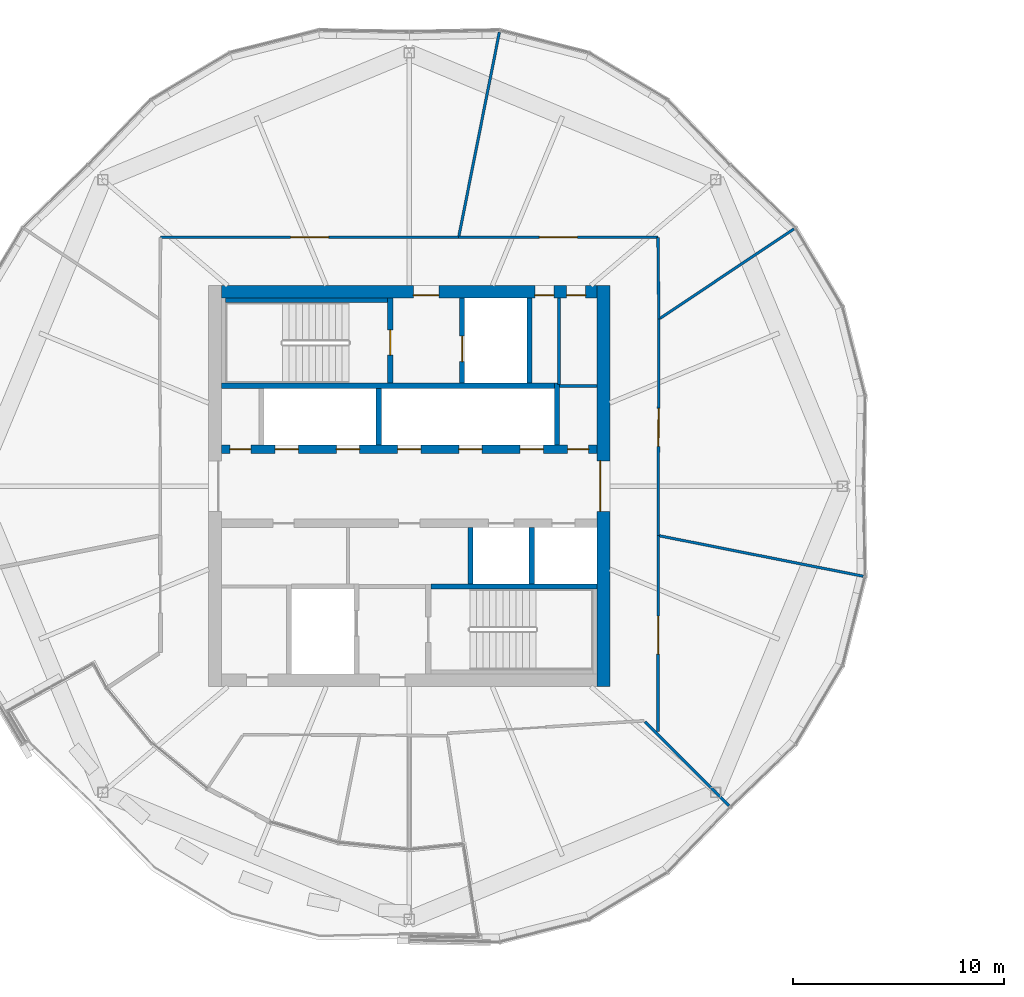
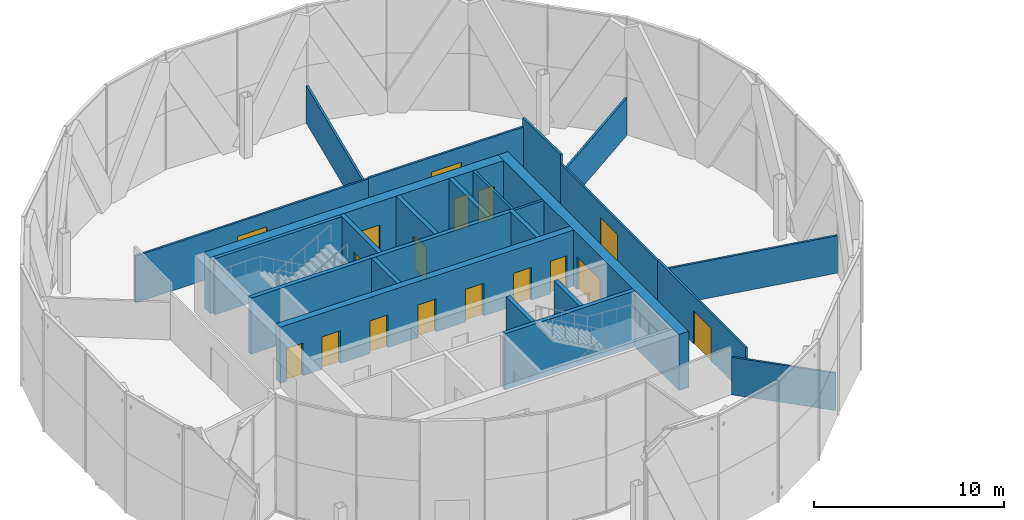
# One storey, part 20 of 27: 24 walls, 17 doors, 17 openings.
"""IFC4 building model written with IfcOpenShell, lengths in metres."""

from ifc_helpers import new_model, si_unit, direction, frame, frame_2d, origin, place, context, subcontext, project, spatial, rectangle, extrude, material, layer, layer_set, type_object, element, fill, save


model = new_model("IFC4")

# Units and contexts
model_context = context("Model", 3, precision=1e-05, world=origin(), true_north=direction((0.0, 1.0)))
body_context = subcontext(model_context, "Body", "Model", "MODEL_VIEW")
ifc_project = project(units=[si_unit("LENGTHUNIT", "METRE"), si_unit("AREAUNIT", "SQUARE_METRE"), si_unit("VOLUMEUNIT", "CUBIC_METRE"), si_unit("PLANEANGLEUNIT", "RADIAN"), si_unit("MASSUNIT", "GRAM", prefix="KILO")], contexts=[model_context])

# Site, building, storey
site_placement = place(None, origin())
site = spatial("IfcSite", under=ifc_project, at=site_placement, CompositionType="ELEMENT")
building_placement = place(site_placement, origin())
building = spatial("IfcBuilding", under=site, at=building_placement, Name="Ogive Gate Towers", CompositionType="ELEMENT")
storey_placement = place(building_placement, frame((0.0, 0.0, 189.0)))
storey = spatial("IfcBuildingStorey", under=building, at=storey_placement, Name="L45", CompositionType="ELEMENT", Elevation=189.0)

# Wall, openings, doors
ifc_material_1 = material(Name="Concrete C60/75", Category="concrete")
ifc_layer_1 = layer(ifc_material_1, 0.60009765625)
ifc_layer_set_1 = layer_set([ifc_layer_1], Name="Core wall 600 mm")
wall_type_1 = type_object("IfcWallType", Name="Core wall 600 mm", PredefinedType="SHEAR", material=ifc_layer_set_1)
wall_1_placement = place(storey_placement, frame((-44.89990234375, 9.199951171875, 0.0), z_axis=(0.0, 0.0, 1.0), x_axis=(1.0, 0.0, 0.0)))
wall_1 = element("IfcWall", 1, at=wall_1_placement, inside=storey, type_object=wall_type_1, Name="T1 L45 Core wall 600 mm", PredefinedType="SHEAR", context=body_context, shape_type="SweptSolid", body=[
    extrude(rectangle(XDim=17.7998046875, YDim=0.60009765625, at=frame_2d((8.89990234375, 0.0))), origin(), (0.0, 0.0, 1.0), 3.60009765625),
])
opening_1_placement = place(wall_1_placement, frame((9.10009765625, 0.0, 0.0)))
opening_1 = element("IfcOpeningElement", 2, at=opening_1_placement, cuts=wall_1, Name="Opening KD-T1-L45-18", PredefinedType="OPENING", context=body_context, shape_type="SweptSolid", body=[
    extrude(rectangle(XDim=1.199951171875, YDim=2.10009765625, at=frame_2d((0.60009765625, 1.050048828125))), frame((0.0, 0.31005859375, 0.0), z_axis=(0.0, -1.0, 0.0), x_axis=(1.0, 0.0, 0.0)), (0.0, 0.0, 1.0), 0.6201171875),
])
opening_2_placement = place(wall_1_placement, frame((14.85009765625, 0.0, 0.0)))
opening_2 = element("IfcOpeningElement", 3, at=opening_2_placement, cuts=wall_1, Name="Opening KD-T1-L45-20", PredefinedType="OPENING", context=body_context, shape_type="SweptSolid", body=[
    extrude(rectangle(XDim=0.89990234375, YDim=2.10009765625, at=frame_2d((0.449951171875, 1.050048828125))), frame((0.0, 0.31005859375, 0.0), z_axis=(0.0, -1.0, 0.0), x_axis=(1.0, 0.0, 0.0)), (0.0, 0.0, 1.0), 0.6201171875),
])
opening_3_placement = place(wall_1_placement, frame((16.35009765625, 0.0, 0.0)))
opening_3 = element("IfcOpeningElement", 4, at=opening_3_placement, cuts=wall_1, Name="Opening KD-T1-L45-21", PredefinedType="OPENING", context=body_context, shape_type="SweptSolid", body=[
    extrude(rectangle(XDim=0.89990234375, YDim=2.10009765625, at=frame_2d((0.449951171875, 1.050048828125))), frame((0.0, 0.31005859375, 0.0), z_axis=(0.0, -1.0, 0.0), x_axis=(1.0, 0.0, 0.0)), (0.0, 0.0, 1.0), 0.6201171875),
])
ifc_material_2 = material(Name="Timber door", Category="wood")
door_type_1 = type_object("IfcDoorType", Name="Core WC door 900 x 2100", OperationType="NOTDEFINED", PredefinedType="DOOR", material=ifc_material_2)
door_1_placement = place(opening_2_placement, origin())
door_1 = element("IfcDoor", 5, at=door_1_placement, inside=storey, type_object=door_type_1, Name="T1 L45 Core door", OperationType="SINGLE_SWING_LEFT", OverallHeight=2.10009765625, OverallWidth=0.89990234375, PredefinedType="DOOR", context=body_context, shape_type="SweptSolid", body=[
    extrude(rectangle(XDim=0.89990234375, YDim=2.10009765625, at=frame_2d((0.449951171875, 1.050048828125))), frame((0.0, -0.125, 0.0), z_axis=(0.0, -1.0, 0.0), x_axis=(1.0, 0.0, 0.0)), (0.0, 0.0, 1.0), 0.050048828125),
])
fill(opening_2, door_1)
door_2_placement = place(opening_3_placement, origin())
door_2 = element("IfcDoor", 6, at=door_2_placement, inside=storey, type_object=door_type_1, Name="T1 L45 Core door", OperationType="SINGLE_SWING_RIGHT", OverallHeight=2.10009765625, OverallWidth=0.89990234375, PredefinedType="DOOR", context=body_context, shape_type="SweptSolid", body=[
    extrude(rectangle(XDim=0.89990234375, YDim=2.10009765625, at=frame_2d((0.449951171875, 1.050048828125))), frame((0.0, -0.125, 0.0), z_axis=(0.0, -1.0, 0.0), x_axis=(1.0, 0.0, 0.0)), (0.0, 0.0, 1.0), 0.050048828125),
])
fill(opening_3, door_2)
ifc_material_3 = material(Name="Steel fire door", Category="steel")
door_type_2 = type_object("IfcDoorType", Name="Core door FD60S 1200 x 2100", OperationType="NOTDEFINED", PredefinedType="DOOR", material=ifc_material_3)
door_3_placement = place(opening_1_placement, origin())
door_3 = element("IfcDoor", 7, at=door_3_placement, inside=storey, type_object=door_type_2, Name="T1 L45 Fire-fighting lobby door", OperationType="SINGLE_SWING_LEFT", OverallHeight=2.10009765625, OverallWidth=1.199951171875, PredefinedType="DOOR", context=body_context, shape_type="SweptSolid", body=[
    extrude(rectangle(XDim=1.199951171875, YDim=2.10009765625, at=frame_2d((0.60009765625, 1.050048828125))), frame((0.0, -0.125, 0.0), z_axis=(0.0, -1.0, 0.0), x_axis=(1.0, 0.0, 0.0)), (0.0, 0.0, 1.0), 0.050048828125),
])
fill(opening_1, door_3)

# Wall, opening, door
wall_2_placement = place(storey_placement, frame((-26.800048828125, -9.5, 0.0), z_axis=(0.0, 0.0, 1.0), x_axis=(0.0, 1.0, 0.0)))
wall_2 = element("IfcWall", 8, at=wall_2_placement, inside=storey, type_object=wall_type_1, Name="T1 L45 Core wall 600 mm", PredefinedType="SHEAR", context=body_context, shape_type="SweptSolid", body=[
    extrude(rectangle(XDim=19.0, YDim=0.60009765625, at=frame_2d((9.5, 0.0))), origin(), (0.0, 0.0, 1.0), 3.60009765625),
])
opening_4_placement = place(wall_2_placement, frame((8.300048828125, 0.0, 0.0)))
opening_4 = element("IfcOpeningElement", 9, at=opening_4_placement, cuts=wall_2, Name="Opening KD-T1-L45-02", PredefinedType="OPENING", context=body_context, shape_type="SweptSolid", body=[
    extrude(rectangle(XDim=2.39990234375, YDim=2.10009765625, at=frame_2d((1.199951171875, 1.050048828125))), frame((0.0, 0.31005859375, 0.0), z_axis=(0.0, -1.0, 0.0), x_axis=(1.0, 0.0, 0.0)), (0.0, 0.0, 1.0), 0.6201171875),
])
door_type_3 = type_object("IfcDoorType", Name="Core double door FD60S 2400 x 2100", OperationType="DOUBLE_DOOR_SINGLE_SWING", PredefinedType="DOOR", material=ifc_material_3)
door_4_placement = place(opening_4_placement, origin())
door_4 = element("IfcDoor", 10, at=door_4_placement, inside=storey, type_object=door_type_3, Name="T1 L45 Core door double", OperationType="DOUBLE_DOOR_SINGLE_SWING", OverallHeight=2.10009765625, OverallWidth=2.39990234375, PredefinedType="DOOR", context=body_context, shape_type="SweptSolid", body=[
    extrude(rectangle(XDim=2.39990234375, YDim=2.10009765625, at=frame_2d((1.199951171875, 1.050048828125))), frame((0.0, 0.1748046875, 0.0), z_axis=(0.0, -1.0, 0.0), x_axis=(1.0, 0.0, 0.0)), (0.0, 0.0, 1.0), 0.050048828125),
])
fill(opening_4, door_4)

# Walls
ifc_material_4 = material(Name="Gypsum board partition")
ifc_layer_2 = layer(ifc_material_4, 0.125)
ifc_layer_set_2 = layer_set([ifc_layer_2], Name="Partition 125")
wall_type_2 = type_object("IfcWallType", Name="Partition 125", PredefinedType="PARTITIONING", material=ifc_layer_set_2)
wall_3_placement = place(storey_placement, frame((-17.779052734375, 12.184814453125, 0.0), z_axis=(0.0, 0.0, 1.0), x_axis=(-0.831252644517, -0.555894811079, 0.0)))
element("IfcWall", 11, at=wall_3_placement, inside=storey, type_object=wall_type_2, Name="Partition T1-L45-001", PredefinedType="PARTITIONING", context=body_context, shape_type="SweptSolid", body=[
    extrude(rectangle(XDim=7.636474609375, YDim=0.125, at=frame_2d((3.818359375, 0.0))), origin(), (0.0, 0.0, 1.0), 2.39990234375),
])
wall_4_placement = place(storey_placement, frame((-31.731689453125, 21.5, 0.0), z_axis=(0.0, 0.0, 1.0), x_axis=(-0.194736530289, -0.980855587623, 0.0)))
element("IfcWall", 12, at=wall_4_placement, inside=storey, type_object=wall_type_2, Name="Partition T1-L45-002", PredefinedType="PARTITIONING", context=body_context, shape_type="SweptSolid", body=[
    extrude(rectangle(XDim=9.83642578125, YDim=0.125, at=frame_2d((4.918212890625, 0.0))), origin(), (0.0, 0.0, 1.0), 2.39990234375),
])
wall_5_placement = place(storey_placement, frame((-20.8544921875, -15.1455078125, 0.0), z_axis=(0.0, 0.0, 1.0), x_axis=(-0.707106781187, 0.707106781187, 0.0)))
element("IfcWall", 13, at=wall_5_placement, inside=storey, type_object=wall_type_2, Name="Partition T1-L45-010", PredefinedType="PARTITIONING", context=body_context, shape_type="SweptSolid", body=[
    extrude(rectangle(XDim=5.636474609375, YDim=0.125, at=frame_2d((2.818359375, 0.0))), origin(), (0.0, 0.0, 1.0), 2.39990234375),
])
wall_6_placement = place(storey_placement, frame((-14.5, -4.268310546875, 0.0), z_axis=(0.0, 0.0, 1.0), x_axis=(-0.980855587623, 0.194736530289, 0.0)))
element("IfcWall", 14, at=wall_6_placement, inside=storey, type_object=wall_type_2, Name="Partition T1-L45-011", PredefinedType="PARTITIONING", context=body_context, shape_type="SweptSolid", body=[
    extrude(rectangle(XDim=9.83642578125, YDim=0.125, at=frame_2d((4.918212890625, 0.0))), origin(), (0.0, 0.0, 1.0), 2.39990234375),
])

# Wall, opening, door
wall_7_placement = place(storey_placement, frame((-47.780029296875, 11.780029296875, 0.0), z_axis=(0.0, 0.0, 1.0), x_axis=(0.999999736351, 0.000726153442, 0.0)))
wall_7 = element("IfcWall", 15, at=wall_7_placement, inside=storey, type_object=wall_type_2, Name="Partition T1-L45-016", PredefinedType="PARTITIONING", context=body_context, shape_type="SweptSolid", body=[
    extrude(rectangle(XDim=14.120849609375, YDim=0.125, at=frame_2d((7.060546875, 0.0))), origin(), (0.0, 0.0, 1.0), 3.0),
])
opening_5_placement = place(wall_7_placement, frame((6.159912109375, 0.0, 0.0)))
opening_5 = element("IfcOpeningElement", 16, at=opening_5_placement, cuts=wall_7, Name="Opening T1-L45-D05", PredefinedType="OPENING", context=body_context, shape_type="SweptSolid", body=[
    extrude(rectangle(XDim=1.800048828125, YDim=2.10009765625, at=frame_2d((0.89990234375, 1.050048828125))), frame((0.0, 0.072509765625, 0.0), z_axis=(0.0, -1.0, 0.0), x_axis=(1.0, 0.0, 0.0)), (0.0, 0.0, 1.0), 0.14501953125),
])
door_type_4 = type_object("IfcDoorType", Name="Door pair 1800", OperationType="NOTDEFINED", PredefinedType="DOOR", material=ifc_material_2)
door_5_placement = place(opening_5_placement, origin())
door_5 = element("IfcDoor", 17, at=door_5_placement, inside=storey, type_object=door_type_4, Name="Door T1-L45-D05", OperationType="DOUBLE_DOOR_DOUBLE_SWING", OverallHeight=2.10009765625, OverallWidth=1.800048828125, PredefinedType="DOOR", context=body_context, shape_type="SweptSolid", body=[
    extrude(rectangle(XDim=1.800048828125, YDim=2.10009765625, at=frame_2d((0.89990234375, 1.050048828125))), frame((0.0, 0.02490234375, 0.0), z_axis=(0.0, -1.0, 0.0), x_axis=(1.0, 0.0, 0.0)), (0.0, 0.0, 1.0), 0.050048828125),
])
fill(opening_5, door_5)

wall_8_placement = place(storey_placement, frame((-33.6591796875, 11.790283203125, 0.0), z_axis=(0.0, 0.0, 1.0), x_axis=(0.999999409966, -0.001086309268, 0.0)))
wall_8 = element("IfcWall", 18, at=wall_8_placement, inside=storey, type_object=wall_type_2, Name="Partition T1-L45-018", PredefinedType="PARTITIONING", context=body_context, shape_type="SweptSolid", body=[
    extrude(rectangle(XDim=9.439208984375, YDim=0.125, at=frame_2d((4.7197265625, 0.0))), origin(), (0.0, 0.0, 1.0), 3.050048828125),
])
opening_6_placement = place(wall_8_placement, frame((3.820068359375, 0.0, 0.0)))
opening_6 = element("IfcOpeningElement", 19, at=opening_6_placement, cuts=wall_8, Name="Opening T1-L45-D06", PredefinedType="OPENING", context=body_context, shape_type="SweptSolid", body=[
    extrude(rectangle(XDim=1.800048828125, YDim=2.10009765625, at=frame_2d((0.89990234375, 1.050048828125))), frame((0.0, 0.072509765625, 0.0), z_axis=(0.0, -1.0, 0.0), x_axis=(1.0, 0.0, 0.0)), (0.0, 0.0, 1.0), 0.14501953125),
])
door_6_placement = place(opening_6_placement, origin())
door_6 = element("IfcDoor", 20, at=door_6_placement, inside=storey, type_object=door_type_4, Name="Door T1-L45-D06", OperationType="DOUBLE_DOOR_DOUBLE_SWING", OverallHeight=2.10009765625, OverallWidth=1.800048828125, PredefinedType="DOOR", context=body_context, shape_type="SweptSolid", body=[
    extrude(rectangle(XDim=1.800048828125, YDim=2.10009765625, at=frame_2d((0.89990234375, 1.050048828125))), frame((0.0, 0.02490234375, 0.0), z_axis=(0.0, -1.0, 0.0), x_axis=(1.0, 0.0, 0.0)), (0.0, 0.0, 1.0), 0.050048828125),
])
fill(opening_6, door_6)

# Wall
wall_9_placement = place(storey_placement, frame((-24.219970703125, 11.780029296875, 0.0), z_axis=(0.0, 0.0, 1.0), x_axis=(0.010583417817, -0.999943994065, 0.0)))
element("IfcWall", 21, at=wall_9_placement, inside=storey, type_object=wall_type_2, Name="Partition T1-L45-019", PredefinedType="PARTITIONING", context=body_context, shape_type="SweptSolid", body=[
    extrude(rectangle(XDim=3.87548828125, YDim=0.125, at=frame_2d((1.937744140625, 0.0))), origin(), (0.0, 0.0, 1.0), 3.60009765625),
])

# Wall, opening, door
wall_10_placement = place(storey_placement, frame((-24.178955078125, 7.90478515625, 0.0), z_axis=(0.0, 0.0, 1.0), x_axis=(-0.003002417006, -0.999995492736, 0.0)))
wall_10 = element("IfcWall", 22, at=wall_10_placement, inside=storey, type_object=wall_type_2, Name="Partition T1-L45-020", PredefinedType="PARTITIONING", context=body_context, shape_type="SweptSolid", body=[
    extrude(rectangle(XDim=10.24560546875, YDim=0.125, at=frame_2d((5.122802734375, 0.0))), origin(), (0.0, 0.0, 1.0), 3.0),
])
opening_7_placement = place(wall_10_placement, frame((4.222900390625, 0.0, 0.0)))
opening_7 = element("IfcOpeningElement", 23, at=opening_7_placement, cuts=wall_10, Name="Opening T1-L45-D07", PredefinedType="OPENING", context=body_context, shape_type="SweptSolid", body=[
    extrude(rectangle(XDim=1.800048828125, YDim=2.10009765625, at=frame_2d((0.89990234375, 1.050048828125))), frame((0.0, 0.072509765625, 0.0), z_axis=(0.0, -1.0, 0.0), x_axis=(1.0, 0.0, 0.0)), (0.0, 0.0, 1.0), 0.14501953125),
])
door_7_placement = place(opening_7_placement, origin())
door_7 = element("IfcDoor", 24, at=door_7_placement, inside=storey, type_object=door_type_4, Name="Door T1-L45-D07", OperationType="DOUBLE_DOOR_DOUBLE_SWING", OverallHeight=2.10009765625, OverallWidth=1.800048828125, PredefinedType="DOOR", context=body_context, shape_type="SweptSolid", body=[
    extrude(rectangle(XDim=1.800048828125, YDim=2.10009765625, at=frame_2d((0.89990234375, 1.050048828125))), frame((0.0, 0.02490234375, 0.0), z_axis=(0.0, -1.0, 0.0), x_axis=(1.0, 0.0, 0.0)), (0.0, 0.0, 1.0), 0.050048828125),
])
fill(opening_7, door_7)

wall_11_placement = place(storey_placement, frame((-24.209716796875, -2.3408203125, 0.0), z_axis=(0.0, 0.0, 1.0), x_axis=(-0.001078804793, -0.99999941809, 0.0)))
wall_11 = element("IfcWall", 25, at=wall_11_placement, inside=storey, type_object=wall_type_2, Name="Partition T1-L45-021", PredefinedType="PARTITIONING", context=body_context, shape_type="SweptSolid", body=[
    extrude(rectangle(XDim=9.278564453125, YDim=0.125, at=frame_2d((4.63916015625, 0.0))), origin(), (0.0, 0.0, 1.0), 3.050048828125),
])
opening_8_placement = place(wall_11_placement, frame((3.820068359375, 0.0, 0.0)))
opening_8 = element("IfcOpeningElement", 26, at=opening_8_placement, cuts=wall_11, Name="Opening T1-L45-D08", PredefinedType="OPENING", context=body_context, shape_type="SweptSolid", body=[
    extrude(rectangle(XDim=1.800048828125, YDim=2.10009765625, at=frame_2d((0.89990234375, 1.050048828125))), frame((0.0, 0.072509765625, 0.0), z_axis=(0.0, -1.0, 0.0), x_axis=(1.0, 0.0, 0.0)), (0.0, 0.0, 1.0), 0.14501953125),
])
door_8_placement = place(opening_8_placement, origin())
door_8 = element("IfcDoor", 27, at=door_8_placement, inside=storey, type_object=door_type_4, Name="Door T1-L45-D08", OperationType="DOUBLE_DOOR_DOUBLE_SWING", OverallHeight=2.10009765625, OverallWidth=1.800048828125, PredefinedType="DOOR", context=body_context, shape_type="SweptSolid", body=[
    extrude(rectangle(XDim=1.800048828125, YDim=2.10009765625, at=frame_2d((0.89990234375, 1.050048828125))), frame((0.0, 0.02490234375, 0.0), z_axis=(0.0, -1.0, 0.0), x_axis=(1.0, 0.0, 0.0)), (0.0, 0.0, 1.0), 0.050048828125),
])
fill(opening_8, door_8)

# Walls
ifc_layer_3 = layer(ifc_material_4, 0.14990234375)
ifc_layer_set_3 = layer_set([ifc_layer_3], Name="Room partition 150 mm")
wall_type_3 = type_object("IfcWallType", Name="Room partition 150 mm", PredefinedType="PARTITIONING", material=ifc_layer_set_3)
wall_12_placement = place(storey_placement, frame((-28.875, 4.75, 0.0), z_axis=(0.0, 0.0, 1.0), x_axis=(1.0, 0.0, 0.0)))
element("IfcWall", 28, at=wall_12_placement, inside=storey, type_object=wall_type_3, Name="T1 L45 Room partition 150 mm", PredefinedType="PARTITIONING", context=body_context, shape_type="SweptSolid", body=[
    extrude(rectangle(XDim=1.77490234375, YDim=0.14990234375, at=frame_2d((0.887451171875, 0.0))), origin(), (0.0, 0.0, 1.0), 3.60009765625),
])
wall_13_placement = place(storey_placement, frame((-28.89990234375, 4.824951171875, 0.0), z_axis=(0.0, 0.0, 1.0), x_axis=(0.0, 1.0, 0.0)))
element("IfcWall", 29, at=wall_13_placement, inside=storey, type_object=wall_type_3, Name="T1 L45 Room partition 150 mm", PredefinedType="PARTITIONING", context=body_context, shape_type="SweptSolid", body=[
    extrude(rectangle(XDim=4.074951171875, YDim=0.14990234375, at=frame_2d((2.03759765625, 0.0))), origin(), (0.0, 0.0, 1.0), 3.60009765625),
])
ifc_layer_4 = layer(ifc_material_1, 0.25)
ifc_layer_set_4 = layer_set([ifc_layer_4], Name="Shaft wall 250 mm")
wall_type_4 = type_object("IfcWallType", Name="Shaft wall 250 mm", PredefinedType="SHEAR", material=ifc_layer_set_4)
wall_14_placement = place(storey_placement, frame((-34.97509765625, -4.75, 0.0), z_axis=(0.0, 0.0, 1.0), x_axis=(1.0, 0.0, 0.0)))
element("IfcWall", 30, at=wall_14_placement, inside=storey, type_object=wall_type_4, Name="T1 L45 Shaft wall 250 mm", PredefinedType="SHEAR", context=body_context, shape_type="SweptSolid", body=[
    extrude(rectangle(XDim=7.875, YDim=0.25, at=frame_2d((3.9375, 0.0))), origin(), (0.0, 0.0, 1.0), 3.60009765625),
])
wall_15_placement = place(storey_placement, frame((-44.89990234375, 4.75, 0.0), z_axis=(0.0, 0.0, 1.0), x_axis=(1.0, 0.0, 0.0)))
element("IfcWall", 31, at=wall_15_placement, inside=storey, type_object=wall_type_4, Name="T1 L45 Shaft wall 250 mm", PredefinedType="SHEAR", context=body_context, shape_type="SweptSolid", body=[
    extrude(rectangle(XDim=15.77490234375, YDim=0.25, at=frame_2d((7.887451171875, 0.0))), origin(), (0.0, 0.0, 1.0), 3.60009765625),
])
wall_16_placement = place(storey_placement, frame((-37.449951171875, 1.949951171875, 0.0), z_axis=(0.0, 0.0, 1.0), x_axis=(0.0, 1.0, 0.0)))
element("IfcWall", 32, at=wall_16_placement, inside=storey, type_object=wall_type_4, Name="T1 L45 Shaft wall 250 mm", PredefinedType="SHEAR", context=body_context, shape_type="SweptSolid", body=[
    extrude(rectangle(XDim=2.675048828125, YDim=0.25, at=frame_2d((1.33740234375, 0.0))), origin(), (0.0, 0.0, 1.0), 3.60009765625),
])

# Wall, opening, door
wall_17_placement = place(storey_placement, frame((-36.89990234375, 4.875, 0.0), z_axis=(0.0, 0.0, 1.0), x_axis=(0.0, 1.0, 0.0)))
wall_17 = element("IfcWall", 33, at=wall_17_placement, inside=storey, type_object=wall_type_4, Name="T1 L45 Shaft wall 250 mm", PredefinedType="SHEAR", context=body_context, shape_type="SweptSolid", body=[
    extrude(rectangle(XDim=4.02490234375, YDim=0.25, at=frame_2d((2.012451171875, 0.0))), origin(), (0.0, 0.0, 1.0), 3.60009765625),
])
opening_9_placement = place(wall_17_placement, frame((1.324951171875, 0.0, 0.0)))
opening_9 = element("IfcOpeningElement", 34, at=opening_9_placement, cuts=wall_17, Name="Opening KD-T1-L45-16", PredefinedType="OPENING", context=body_context, shape_type="SweptSolid", body=[
    extrude(rectangle(XDim=1.199951171875, YDim=2.10009765625, at=frame_2d((0.60009765625, 1.050048828125))), frame((0.0, 0.135009765625, 0.0), z_axis=(0.0, -1.0, 0.0), x_axis=(1.0, 0.0, 0.0)), (0.0, 0.0, 1.0), 0.27001953125),
])
door_9_placement = place(opening_9_placement, origin())
door_9 = element("IfcDoor", 35, at=door_9_placement, inside=storey, type_object=door_type_2, Name="T1 L45 Stair door", OperationType="SINGLE_SWING_LEFT", OverallHeight=2.10009765625, OverallWidth=1.199951171875, PredefinedType="DOOR", context=body_context, shape_type="SweptSolid", body=[
    extrude(rectangle(XDim=1.199951171875, YDim=2.10009765625, at=frame_2d((0.60009765625, 1.050048828125))), frame((0.0, 0.02490234375, 0.0), z_axis=(0.0, -1.0, 0.0), x_axis=(1.0, 0.0, 0.0)), (0.0, 0.0, 1.0), 0.050048828125),
])
fill(opening_9, door_9)

wall_18_placement = place(storey_placement, frame((-33.5, 4.875, 0.0), z_axis=(0.0, 0.0, 1.0), x_axis=(0.0, 1.0, 0.0)))
wall_18 = element("IfcWall", 36, at=wall_18_placement, inside=storey, type_object=wall_type_4, Name="T1 L45 Shaft wall 250 mm", PredefinedType="SHEAR", context=body_context, shape_type="SweptSolid", body=[
    extrude(rectangle(XDim=4.02490234375, YDim=0.25, at=frame_2d((2.012451171875, 0.0))), origin(), (0.0, 0.0, 1.0), 3.60009765625),
])
opening_10_placement = place(wall_18_placement, frame((1.02490234375, 0.0, 0.0)))
opening_10 = element("IfcOpeningElement", 37, at=opening_10_placement, cuts=wall_18, Name="Opening LD-T1-L45-12", PredefinedType="OPENING", context=body_context, shape_type="SweptSolid", body=[
    extrude(rectangle(XDim=1.199951171875, YDim=2.10009765625, at=frame_2d((0.60009765625, 1.050048828125))), frame((0.0, 0.135009765625, 0.0), z_axis=(0.0, -1.0, 0.0), x_axis=(1.0, 0.0, 0.0)), (0.0, 0.0, 1.0), 0.27001953125),
])
ifc_material_5 = material(Name="Stainless steel landing door", Category="steel")
door_type_5 = type_object("IfcDoorType", Name="Landing door 1200 x 2100", OperationType="SLIDING_TO_LEFT", PredefinedType="DOOR", material=ifc_material_5)
door_10_placement = place(opening_10_placement, origin())
door_10 = element("IfcDoor", 38, at=door_10_placement, inside=storey, type_object=door_type_5, Name="T1 L45 Lift landing door FF1", OperationType="SLIDING_TO_LEFT", OverallHeight=2.10009765625, OverallWidth=1.199951171875, PredefinedType="DOOR", context=body_context, shape_type="SweptSolid", body=[
    extrude(rectangle(XDim=1.199951171875, YDim=2.10009765625, at=frame_2d((0.60009765625, 1.050048828125))), frame((0.0, 0.02490234375, 0.0), z_axis=(0.0, -1.0, 0.0), x_axis=(1.0, 0.0, 0.0)), (0.0, 0.0, 1.0), 0.050048828125),
])
fill(opening_10, door_10)

# Walls
wall_19_placement = place(storey_placement, frame((-33.10009765625, -4.625, 0.0), z_axis=(0.0, 0.0, 1.0), x_axis=(0.0, 1.0, 0.0)))
element("IfcWall", 39, at=wall_19_placement, inside=storey, type_object=wall_type_4, Name="T1 L45 Shaft wall 250 mm", PredefinedType="SHEAR", context=body_context, shape_type="SweptSolid", body=[
    extrude(rectangle(XDim=2.675048828125, YDim=0.25, at=frame_2d((1.33740234375, 0.0))), origin(), (0.0, 0.0, 1.0), 3.60009765625),
])
wall_20_placement = place(storey_placement, frame((-30.300048828125, 4.875, 0.0), z_axis=(0.0, 0.0, 1.0), x_axis=(0.0, 1.0, 0.0)))
element("IfcWall", 40, at=wall_20_placement, inside=storey, type_object=wall_type_4, Name="T1 L45 Shaft wall 250 mm", PredefinedType="SHEAR", context=body_context, shape_type="SweptSolid", body=[
    extrude(rectangle(XDim=4.02490234375, YDim=0.25, at=frame_2d((2.012451171875, 0.0))), origin(), (0.0, 0.0, 1.0), 3.60009765625),
])
wall_21_placement = place(storey_placement, frame((-30.199951171875, -4.625, 0.0), z_axis=(0.0, 0.0, 1.0), x_axis=(0.0, 1.0, 0.0)))
element("IfcWall", 41, at=wall_21_placement, inside=storey, type_object=wall_type_4, Name="T1 L45 Shaft wall 250 mm", PredefinedType="SHEAR", context=body_context, shape_type="SweptSolid", body=[
    extrude(rectangle(XDim=2.675048828125, YDim=0.25, at=frame_2d((1.33740234375, 0.0))), origin(), (0.0, 0.0, 1.0), 3.60009765625),
])
wall_22_placement = place(storey_placement, frame((-29.0, 1.949951171875, 0.0), z_axis=(0.0, 0.0, 1.0), x_axis=(0.0, 1.0, 0.0)))
element("IfcWall", 42, at=wall_22_placement, inside=storey, type_object=wall_type_4, Name="T1 L45 Shaft wall 250 mm", PredefinedType="SHEAR", context=body_context, shape_type="SweptSolid", body=[
    extrude(rectangle(XDim=2.925048828125, YDim=0.25, at=frame_2d((1.46240234375, 0.0))), origin(), (0.0, 0.0, 1.0), 3.60009765625),
])

# Wall, openings, doors
ifc_layer_5 = layer(ifc_material_1, 0.39990234375)
ifc_layer_set_5 = layer_set([ifc_layer_5], Name="Spine wall 400 mm")
wall_type_5 = type_object("IfcWallType", Name="Spine wall 400 mm", PredefinedType="SHEAR", material=ifc_layer_set_5)
wall_23_placement = place(storey_placement, frame((-44.89990234375, 1.75, 0.0), z_axis=(0.0, 0.0, 1.0), x_axis=(1.0, 0.0, 0.0)))
wall_23 = element("IfcWall", 43, at=wall_23_placement, inside=storey, type_object=wall_type_5, Name="T1 L45 Spine wall 400 mm", PredefinedType="SHEAR", context=body_context, shape_type="SweptSolid", body=[
    extrude(rectangle(XDim=17.7998046875, YDim=0.39990234375, at=frame_2d((8.89990234375, 0.0))), origin(), (0.0, 0.0, 1.0), 3.60009765625),
])
opening_11_placement = place(wall_23_placement, frame((0.39990234375, 0.0, 0.0)))
opening_11 = element("IfcOpeningElement", 44, at=opening_11_placement, cuts=wall_23, Name="Opening KD-T1-L45-03", PredefinedType="OPENING", context=body_context, shape_type="SweptSolid", body=[
    extrude(rectangle(XDim=1.0, YDim=2.10009765625, at=frame_2d((0.5, 1.050048828125))), frame((0.0, 0.2099609375, 0.0), z_axis=(0.0, -1.0, 0.0), x_axis=(1.0, 0.0, 0.0)), (0.0, 0.0, 1.0), 0.419921875),
])
opening_12_placement = place(wall_23_placement, frame((2.550048828125, 0.0, 0.0)))
opening_12 = element("IfcOpeningElement", 45, at=opening_12_placement, cuts=wall_23, Name="Opening LD-T1-L45-04", PredefinedType="OPENING", context=body_context, shape_type="SweptSolid", body=[
    extrude(rectangle(XDim=1.10009765625, YDim=2.10009765625, at=frame_2d((0.550048828125, 1.050048828125))), frame((0.0, 0.2099609375, 0.0), z_axis=(0.0, -1.0, 0.0), x_axis=(1.0, 0.0, 0.0)), (0.0, 0.0, 1.0), 0.419921875),
])
opening_13_placement = place(wall_23_placement, frame((5.449951171875, 0.0, 0.0)))
opening_13 = element("IfcOpeningElement", 46, at=opening_13_placement, cuts=wall_23, Name="Opening LD-T1-L45-05", PredefinedType="OPENING", context=body_context, shape_type="SweptSolid", body=[
    extrude(rectangle(XDim=1.10009765625, YDim=2.10009765625, at=frame_2d((0.550048828125, 1.050048828125))), frame((0.0, 0.2099609375, 0.0), z_axis=(0.0, -1.0, 0.0), x_axis=(1.0, 0.0, 0.0)), (0.0, 0.0, 1.0), 0.419921875),
])
opening_14_placement = place(wall_23_placement, frame((8.35009765625, 0.0, 0.0)))
opening_14 = element("IfcOpeningElement", 47, at=opening_14_placement, cuts=wall_23, Name="Opening LD-T1-L45-06", PredefinedType="OPENING", context=body_context, shape_type="SweptSolid", body=[
    extrude(rectangle(XDim=1.10009765625, YDim=2.10009765625, at=frame_2d((0.550048828125, 1.050048828125))), frame((0.0, 0.2099609375, 0.0), z_axis=(0.0, -1.0, 0.0), x_axis=(1.0, 0.0, 0.0)), (0.0, 0.0, 1.0), 0.419921875),
])
opening_15_placement = place(wall_23_placement, frame((11.25, 0.0, 0.0)))
opening_15 = element("IfcOpeningElement", 48, at=opening_15_placement, cuts=wall_23, Name="Opening LD-T1-L45-07", PredefinedType="OPENING", context=body_context, shape_type="SweptSolid", body=[
    extrude(rectangle(XDim=1.10009765625, YDim=2.10009765625, at=frame_2d((0.550048828125, 1.050048828125))), frame((0.0, 0.2099609375, 0.0), z_axis=(0.0, -1.0, 0.0), x_axis=(1.0, 0.0, 0.0)), (0.0, 0.0, 1.0), 0.419921875),
])
opening_16_placement = place(wall_23_placement, frame((14.14990234375, 0.0, 0.0)))
opening_16 = element("IfcOpeningElement", 49, at=opening_16_placement, cuts=wall_23, Name="Opening LD-T1-L45-08", PredefinedType="OPENING", context=body_context, shape_type="SweptSolid", body=[
    extrude(rectangle(XDim=1.10009765625, YDim=2.10009765625, at=frame_2d((0.550048828125, 1.050048828125))), frame((0.0, 0.2099609375, 0.0), z_axis=(0.0, -1.0, 0.0), x_axis=(1.0, 0.0, 0.0)), (0.0, 0.0, 1.0), 0.419921875),
])
opening_17_placement = place(wall_23_placement, frame((16.39990234375, 0.0, 0.0)))
opening_17 = element("IfcOpeningElement", 50, at=opening_17_placement, cuts=wall_23, Name="Opening KD-T1-L45-09", PredefinedType="OPENING", context=body_context, shape_type="SweptSolid", body=[
    extrude(rectangle(XDim=1.0, YDim=2.10009765625, at=frame_2d((0.5, 1.050048828125))), frame((0.0, 0.2099609375, 0.0), z_axis=(0.0, -1.0, 0.0), x_axis=(1.0, 0.0, 0.0)), (0.0, 0.0, 1.0), 0.419921875),
])
door_type_6 = type_object("IfcDoorType", Name="Core door FD60S 1000 x 2100", OperationType="NOTDEFINED", PredefinedType="DOOR", material=ifc_material_3)
door_11_placement = place(opening_11_placement, origin())
door_11 = element("IfcDoor", 51, at=door_11_placement, inside=storey, type_object=door_type_6, Name="T1 L45 Core door", OperationType="SINGLE_SWING_RIGHT", OverallHeight=2.10009765625, OverallWidth=1.0, PredefinedType="DOOR", context=body_context, shape_type="SweptSolid", body=[
    extrude(rectangle(XDim=1.0, YDim=2.10009765625, at=frame_2d((0.5, 1.050048828125))), frame((0.0, 0.02490234375, 0.0), z_axis=(0.0, -1.0, 0.0), x_axis=(1.0, 0.0, 0.0)), (0.0, 0.0, 1.0), 0.050048828125),
])
fill(opening_11, door_11)
door_12_placement = place(opening_17_placement, origin())
door_12 = element("IfcDoor", 52, at=door_12_placement, inside=storey, type_object=door_type_6, Name="T1 L45 Core door", OperationType="SINGLE_SWING_RIGHT", OverallHeight=2.10009765625, OverallWidth=1.0, PredefinedType="DOOR", context=body_context, shape_type="SweptSolid", body=[
    extrude(rectangle(XDim=1.0, YDim=2.10009765625, at=frame_2d((0.5, 1.050048828125))), frame((0.0, 0.02490234375, 0.0), z_axis=(0.0, -1.0, 0.0), x_axis=(1.0, 0.0, 0.0)), (0.0, 0.0, 1.0), 0.050048828125),
])
fill(opening_17, door_12)
door_type_7 = type_object("IfcDoorType", Name="Landing door 1100 x 2100", OperationType="SLIDING_TO_LEFT", PredefinedType="DOOR", material=ifc_material_5)
door_13_placement = place(opening_12_placement, origin())
door_13 = element("IfcDoor", 53, at=door_13_placement, inside=storey, type_object=door_type_7, Name="T1 L45 Lift landing door B1", OperationType="SLIDING_TO_LEFT", OverallHeight=2.10009765625, OverallWidth=1.10009765625, PredefinedType="DOOR", context=body_context, shape_type="SweptSolid", body=[
    extrude(rectangle(XDim=1.10009765625, YDim=2.10009765625, at=frame_2d((0.550048828125, 1.050048828125))), frame((0.0, 0.02490234375, 0.0), z_axis=(0.0, -1.0, 0.0), x_axis=(1.0, 0.0, 0.0)), (0.0, 0.0, 1.0), 0.050048828125),
])
fill(opening_12, door_13)
door_14_placement = place(opening_13_placement, origin())
door_14 = element("IfcDoor", 54, at=door_14_placement, inside=storey, type_object=door_type_7, Name="T1 L45 Lift landing door B2", OperationType="SLIDING_TO_LEFT", OverallHeight=2.10009765625, OverallWidth=1.10009765625, PredefinedType="DOOR", context=body_context, shape_type="SweptSolid", body=[
    extrude(rectangle(XDim=1.10009765625, YDim=2.10009765625, at=frame_2d((0.550048828125, 1.050048828125))), frame((0.0, 0.02490234375, 0.0), z_axis=(0.0, -1.0, 0.0), x_axis=(1.0, 0.0, 0.0)), (0.0, 0.0, 1.0), 0.050048828125),
])
fill(opening_13, door_14)
door_15_placement = place(opening_14_placement, origin())
door_15 = element("IfcDoor", 55, at=door_15_placement, inside=storey, type_object=door_type_7, Name="T1 L45 Lift landing door B3", OperationType="SLIDING_TO_LEFT", OverallHeight=2.10009765625, OverallWidth=1.10009765625, PredefinedType="DOOR", context=body_context, shape_type="SweptSolid", body=[
    extrude(rectangle(XDim=1.10009765625, YDim=2.10009765625, at=frame_2d((0.550048828125, 1.050048828125))), frame((0.0, 0.02490234375, 0.0), z_axis=(0.0, -1.0, 0.0), x_axis=(1.0, 0.0, 0.0)), (0.0, 0.0, 1.0), 0.050048828125),
])
fill(opening_14, door_15)
door_16_placement = place(opening_15_placement, origin())
door_16 = element("IfcDoor", 56, at=door_16_placement, inside=storey, type_object=door_type_7, Name="T1 L45 Lift landing door B4", OperationType="SLIDING_TO_LEFT", OverallHeight=2.10009765625, OverallWidth=1.10009765625, PredefinedType="DOOR", context=body_context, shape_type="SweptSolid", body=[
    extrude(rectangle(XDim=1.10009765625, YDim=2.10009765625, at=frame_2d((0.550048828125, 1.050048828125))), frame((0.0, 0.02490234375, 0.0), z_axis=(0.0, -1.0, 0.0), x_axis=(1.0, 0.0, 0.0)), (0.0, 0.0, 1.0), 0.050048828125),
])
fill(opening_15, door_16)
door_17_placement = place(opening_16_placement, origin())
door_17 = element("IfcDoor", 57, at=door_17_placement, inside=storey, type_object=door_type_7, Name="T1 L45 Lift landing door B5", OperationType="SLIDING_TO_LEFT", OverallHeight=2.10009765625, OverallWidth=1.10009765625, PredefinedType="DOOR", context=body_context, shape_type="SweptSolid", body=[
    extrude(rectangle(XDim=1.10009765625, YDim=2.10009765625, at=frame_2d((0.550048828125, 1.050048828125))), frame((0.0, 0.02490234375, 0.0), z_axis=(0.0, -1.0, 0.0), x_axis=(1.0, 0.0, 0.0)), (0.0, 0.0, 1.0), 0.050048828125),
])
fill(opening_16, door_17)

# Wall
ifc_layer_6 = layer(ifc_material_1, 0.199951171875)
ifc_layer_set_6 = layer_set([ifc_layer_6], Name="Stair wall 200 mm")
wall_type_6 = type_object("IfcWallType", Name="Stair wall 200 mm", PredefinedType="SHEAR", material=ifc_layer_set_6)
wall_24_placement = place(storey_placement, frame((-44.699951171875, 8.800048828125, 0.0), z_axis=(0.0, 0.0, 1.0), x_axis=(1.0, 0.0, 0.0)))
element("IfcWall", 58, at=wall_24_placement, inside=storey, type_object=wall_type_6, Name="T1 L45 Stair wall 200 mm", PredefinedType="SHEAR", context=body_context, shape_type="SweptSolid", body=[
    extrude(rectangle(XDim=7.675048828125, YDim=0.199951171875, at=frame_2d((3.83740234375, 0.0))), origin(), (0.0, 0.0, 1.0), 3.60009765625),
])

save(model, "model.ifc")
